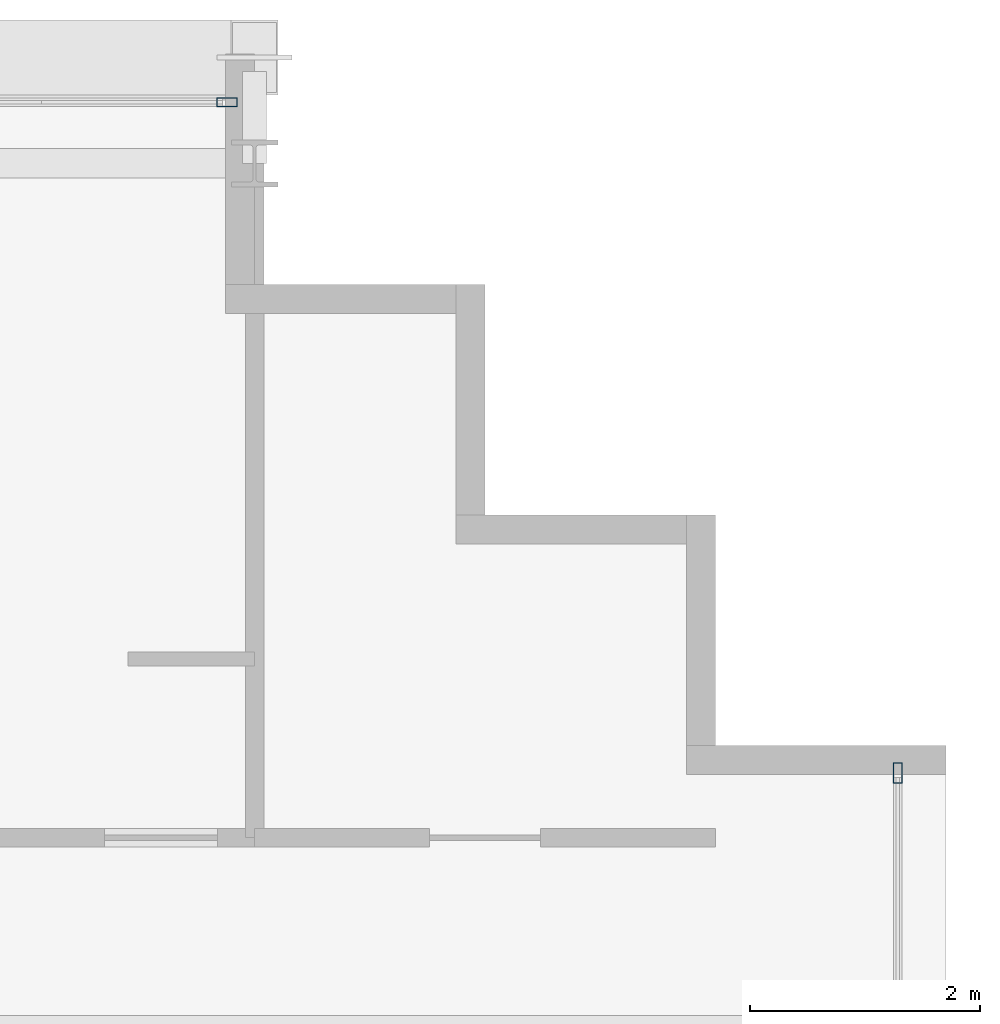
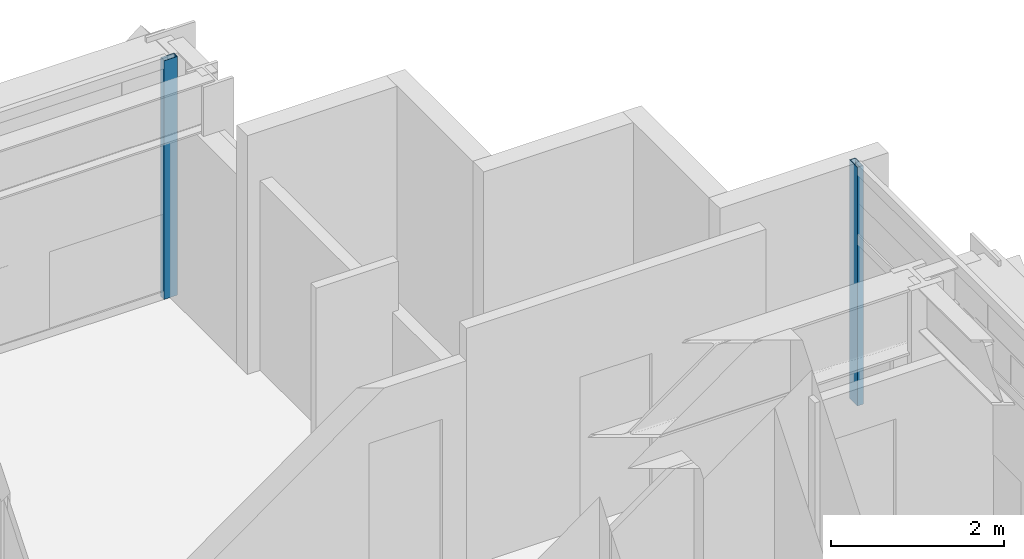
# One storey, part 19 of 31: 2 members, 2 elements without a shape of their own.
"""IFC4 building model written with IfcOpenShell, lengths in metres."""

from ifc_helpers import new_model, si_unit, direction, frame, origin, origin_2d, place, context, subcontext, project, spatial, hollow_rectangle, extrude, source, transform, mapped, material, layer, layer_set, material_profile, profile_set, type_object, element, aggregate, save


model = new_model("IFC4")

# Units and contexts
model_context = context("Model", 3, precision=1e-05, world=origin(), true_north=direction((0.0, 1.0)))
body_context = subcontext(model_context, "Body", "Model", "MODEL_VIEW")
ifc_project = project(units=[si_unit("LENGTHUNIT", "METRE"), si_unit("AREAUNIT", "SQUARE_METRE"), si_unit("VOLUMEUNIT", "CUBIC_METRE"), si_unit("PLANEANGLEUNIT", "RADIAN"), si_unit("MASSUNIT", "GRAM", prefix="KILO")], contexts=[model_context])

# Site, building, storey
site_placement = place(None, origin())
site = spatial("IfcSite", under=ifc_project, at=site_placement, CompositionType="ELEMENT")
building_placement = place(site_placement, origin())
building = spatial("IfcBuilding", under=site, at=building_placement, Name="Ocotamira Hotel", CompositionType="ELEMENT")
storey_placement = place(building_placement, frame((0.0, 0.0, 199.199951171875)))
storey = spatial("IfcBuildingStorey", under=building, at=storey_placement, Name="L50", CompositionType="ELEMENT", Elevation=199.199951171875)

# Curtain wall, member
ifc_material_1 = material(Name="Anodised pale-metal aluminium and solar glass", Category="aluminium")
ifc_layer = layer(ifc_material_1, 0.199951171875)
ifc_layer_set = layer_set([ifc_layer], Name="Anodised pale-metal aluminium and solar glass")
curtain_wall_type = type_object("IfcCurtainWallType", Name="CW-SYS4-Z3", PredefinedType="NOTDEFINED", material=ifc_layer_set)
curtain_wall_1_placement = place(storey_placement, origin())
curtain_wall_1 = element("IfcCurtainWall", 1, at=curtain_wall_1_placement, inside=storey, type_object=curtain_wall_type, Name="L50 Curtain Wall CW-4 CW-L50-N", PredefinedType="NOTDEFINED")
ifc_material_2 = material(Name="Anodised pale-metal aluminium 6063-T6", Category="aluminium")
ifc_material_profile = material_profile(ifc_material_2, hollow_rectangle(XDim=0.080078125, YDim=0.179931640625, WallThickness=0.006103515625, at=origin_2d()), Name="HSS180X80X6")
ifc_profile_set = profile_set([ifc_material_profile], Name="Anodised pale-metal aluminium 6063-T6")
member_type = type_object("IfcMemberType", Name="CWM-180X75", PredefinedType="MULLION", material=ifc_profile_set)
shared_shape = source(origin(), body_context, "Body", "SweptSolid", [
    extrude(hollow_rectangle(XDim=0.080078125, YDim=0.179931640625, WallThickness=0.006103515625, at=origin_2d()), origin(), (0.0, 0.0, 1.0), 3.3701171875),
])
member_1_placement = place(storey_placement, frame((49.760009765625, 45.580078125, 0.0), z_axis=(0.0, 0.0, 1.0), x_axis=(0.0, 1.0, 0.0)))
member_1 = element("IfcMember", 2, at=member_1_placement, type_object=member_type, Name="CW-4 mullion 10", PredefinedType="MULLION", context=body_context, shape_type="MappedRepresentation", body=[
    mapped(shared_shape, transform((0.0, 0.0, 0.0), scale=1.0)),
])
aggregate(curtain_wall_1, [member_1])

curtain_wall_2_placement = place(storey_placement, origin())
curtain_wall_2 = element("IfcCurtainWall", 3, at=curtain_wall_2_placement, inside=storey, type_object=curtain_wall_type, Name="L50 Curtain Wall CW-4 CW-L50-E", PredefinedType="NOTDEFINED")
member_2_placement = place(storey_placement, frame((55.580078125, 39.760009765625, 0.0), z_axis=(0.0, 0.0, 1.0), x_axis=(-1.0, 0.0, 0.0)))
member_2 = element("IfcMember", 4, at=member_2_placement, type_object=member_type, Name="CW-4 mullion 6", PredefinedType="MULLION", context=body_context, shape_type="MappedRepresentation", body=[
    mapped(shared_shape, transform((0.0, 0.0, 0.0), scale=1.0)),
])
aggregate(curtain_wall_2, [member_2])

save(model, "model.ifc")
